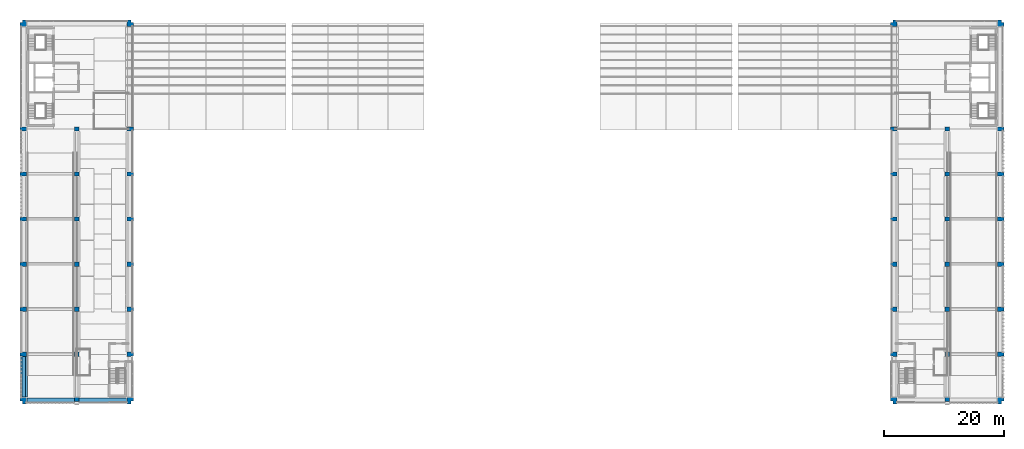
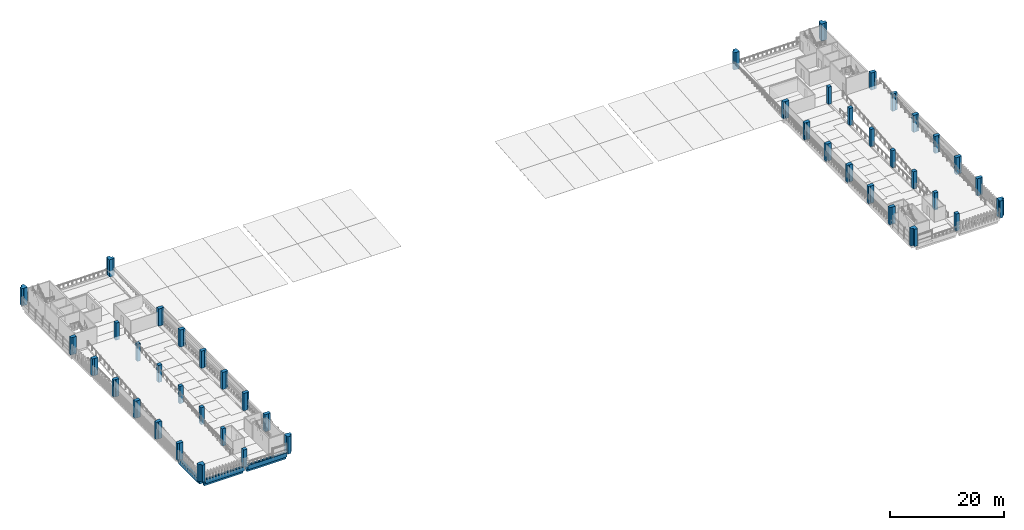
# One storey, part 1 of 24: 46 columns, 3 beams.
"""IFC4 building model written with IfcOpenShell, lengths in metres."""

from ifc_helpers import new_model, si_unit, direction, frame, origin, place, context, subcontext, project, spatial, polyline, outline, extrude, material, material_profile, profile_set, type_object, element, save


model = new_model("IFC4")

# Units and contexts
model_context = context("Model", 3, precision=1e-05, world=origin(), true_north=direction((0.0, 1.0)))
body_context = subcontext(model_context, "Body", "Model", "MODEL_VIEW")
ifc_project = project(units=[si_unit("LENGTHUNIT", "METRE"), si_unit("AREAUNIT", "SQUARE_METRE"), si_unit("VOLUMEUNIT", "CUBIC_METRE"), si_unit("PLANEANGLEUNIT", "RADIAN"), si_unit("MASSUNIT", "GRAM", prefix="KILO")], contexts=[model_context])

# Site, building, storey
site_placement = place(None, origin())
site = spatial("IfcSite", under=ifc_project, at=site_placement, CompositionType="ELEMENT")
building_placement = place(site_placement, origin())
building = spatial("IfcBuilding", under=site, at=building_placement, Name="Cour d'Honneur Mobility Palace", CompositionType="ELEMENT")
storey_placement = place(building_placement, frame((0.0, 0.0, 26.699951171875)))
storey = spatial("IfcBuildingStorey", under=building, at=storey_placement, Name="L07", CompositionType="ELEMENT", Elevation=26.699951171875)

# Columns
ifc_material_1 = material(Name="Concrete C50", Category="concrete")
ifc_material_profile_1 = material_profile(ifc_material_1, outline(polyline([(-0.35009765625, -0.35009765625), (0.35009765625, -0.35009765625), (0.35009765625, -0.300048828125), (0.75, -0.300048828125), (0.75, 0.300048828125), (0.35009765625, 0.300048828125), (0.35009765625, 0.35009765625), (0.300048828125, 0.35009765625), (0.300048828125, 0.75), (-0.300048828125, 0.75), (-0.300048828125, 0.35009765625), (-0.35009765625, 0.35009765625), (-0.35009765625, -0.35009765625)])), Name="PC C700 corner")
ifc_profile_set_1 = profile_set([ifc_material_profile_1], Name="Concrete C50")
column_type_1 = type_object("IfcColumnType", Name="Precast Column 700 corner", PredefinedType="COLUMN", material=ifc_profile_set_1)
for number, where, z_axis, x_axis, name in (
    (1, (0.0, 0.0, 0.0), (0.0, 0.0, 1.0), (-1.0, 0.0, 0.0), "Precast column C7 1/A L07"),
    (2, (17.39990234375, 0.0, 0.0), (0.0, 0.0, 1.0), (0.0, -1.0, 0.0), "Precast column C7 2/A L07"),
    (3, (144.89990234375, 0.0, 0.0), (0.0, 0.0, 1.0), (-1.0, 0.0, 0.0), "Precast column C7 19/A L07"),
    (4, (162.300048828125, 0.0, 0.0), (0.0, 0.0, 1.0), (0.0, -1.0, 0.0), "Precast column C7 20/A L07"),
    (5, (0.0, 62.39990234375, 0.0), (0.0, 0.0, 1.0), (0.0, 1.0, 0.0), "Precast column C7 1/H L07"),
    (6, (17.39990234375, 62.39990234375, 0.0), (0.0, 0.0, 1.0), (1.0, 0.0, 0.0), "Precast column C7 2/H L07"),
    (7, (144.89990234375, 62.39990234375, 0.0), (0.0, 0.0, 1.0), (0.0, 1.0, 0.0), "Precast column C7 19/H L07"),
    (8, (162.300048828125, 62.39990234375, 0.0), (0.0, 0.0, 1.0), (1.0, 0.0, 0.0), "Precast column C7 20/H L07"),
):
    element("IfcColumn", number, at=place(storey_placement, frame(where, z_axis=z_axis, x_axis=x_axis)), inside=storey, type_object=column_type_1, Name=name, PredefinedType="COLUMN", context=body_context, shape_type="SweptSolid", body=[
        extrude(outline(polyline([(-0.35009765625, -0.35009765625), (0.35009765625, -0.35009765625), (0.35009765625, -0.300048828125), (0.75, -0.300048828125), (0.75, 0.300048828125), (0.35009765625, 0.300048828125), (0.35009765625, 0.35009765625), (0.300048828125, 0.35009765625), (0.300048828125, 0.75), (-0.300048828125, 0.75), (-0.300048828125, 0.35009765625), (-0.35009765625, 0.35009765625), (-0.35009765625, -0.35009765625)])), origin(), (0.0, 0.0, 1.0), 3.699951171875),
    ])
ifc_material_2 = material(Name="Concrete C50", Category="concrete")
ifc_material_profile_2 = material_profile(ifc_material_2, outline(polyline([(-0.35009765625, -0.35009765625), (0.35009765625, -0.35009765625), (0.35009765625, -0.300048828125), (0.75, -0.300048828125), (0.75, 0.300048828125), (0.35009765625, 0.300048828125), (0.35009765625, 0.35009765625), (-0.35009765625, 0.35009765625), (-0.35009765625, -0.35009765625)])), Name="PC C700 pilaster")
ifc_profile_set_2 = profile_set([ifc_material_profile_2], Name="Concrete C50")
column_type_2 = type_object("IfcColumnType", Name="Precast Column 700 pilaster", PredefinedType="COLUMN", material=ifc_profile_set_2)
for number, where, z_axis, x_axis, name in (
    (9, (0.0, 7.5, 0.0), (0.0, 0.0, 1.0), (-1.0, 0.0, 0.0), "Precast column C9 1/B L07"),
    (10, (17.39990234375, 7.5, 0.0), (0.0, 0.0, 1.0), (1.0, 0.0, 0.0), "Precast column C9 2/B L07"),
    (11, (144.89990234375, 7.5, 0.0), (0.0, 0.0, 1.0), (-1.0, 0.0, 0.0), "Precast column C9 19/B L07"),
    (12, (162.300048828125, 7.5, 0.0), (0.0, 0.0, 1.0), (1.0, 0.0, 0.0), "Precast column C9 20/B L07"),
    (13, (0.0, 15.0, 0.0), (0.0, 0.0, 1.0), (-1.0, 0.0, 0.0), "Precast column C9 1/C L07"),
    (14, (17.39990234375, 15.0, 0.0), (0.0, 0.0, 1.0), (1.0, 0.0, 0.0), "Precast column C9 2/C L07"),
    (15, (144.89990234375, 15.0, 0.0), (0.0, 0.0, 1.0), (-1.0, 0.0, 0.0), "Precast column C9 19/C L07"),
    (16, (162.300048828125, 15.0, 0.0), (0.0, 0.0, 1.0), (1.0, 0.0, 0.0), "Precast column C9 20/C L07"),
    (17, (0.0, 22.5, 0.0), (0.0, 0.0, 1.0), (-1.0, 0.0, 0.0), "Precast column C9 1/D L07"),
    (18, (17.39990234375, 22.5, 0.0), (0.0, 0.0, 1.0), (1.0, 0.0, 0.0), "Precast column C9 2/D L07"),
    (19, (144.89990234375, 22.5, 0.0), (0.0, 0.0, 1.0), (-1.0, 0.0, 0.0), "Precast column C9 19/D L07"),
    (20, (162.300048828125, 22.5, 0.0), (0.0, 0.0, 1.0), (1.0, 0.0, 0.0), "Precast column C9 20/D L07"),
    (21, (0.0, 30.0, 0.0), (0.0, 0.0, 1.0), (-1.0, 0.0, 0.0), "Precast column C9 1/E L07"),
    (22, (17.39990234375, 30.0, 0.0), (0.0, 0.0, 1.0), (1.0, 0.0, 0.0), "Precast column C9 2/E L07"),
    (23, (144.89990234375, 30.0, 0.0), (0.0, 0.0, 1.0), (-1.0, 0.0, 0.0), "Precast column C9 19/E L07"),
    (24, (162.300048828125, 30.0, 0.0), (0.0, 0.0, 1.0), (1.0, 0.0, 0.0), "Precast column C9 20/E L07"),
    (25, (0.0, 37.5, 0.0), (0.0, 0.0, 1.0), (-1.0, 0.0, 0.0), "Precast column C9 1/F L07"),
    (26, (17.39990234375, 37.5, 0.0), (0.0, 0.0, 1.0), (1.0, 0.0, 0.0), "Precast column C9 2/F L07"),
    (27, (144.89990234375, 37.5, 0.0), (0.0, 0.0, 1.0), (-1.0, 0.0, 0.0), "Precast column C9 19/F L07"),
    (28, (162.300048828125, 37.5, 0.0), (0.0, 0.0, 1.0), (1.0, 0.0, 0.0), "Precast column C9 20/F L07"),
    (29, (0.0, 45.0, 0.0), (0.0, 0.0, 1.0), (-1.0, 0.0, 0.0), "Precast column C9 1/G L07"),
    (30, (17.39990234375, 45.0, 0.0), (0.0, 0.0, 1.0), (1.0, 0.0, 0.0), "Precast column C9 2/G L07"),
    (31, (144.89990234375, 45.0, 0.0), (0.0, 0.0, 1.0), (-1.0, 0.0, 0.0), "Precast column C9 19/G L07"),
    (32, (162.300048828125, 45.0, 0.0), (0.0, 0.0, 1.0), (1.0, 0.0, 0.0), "Precast column C9 20/G L07"),
):
    element("IfcColumn", number, at=place(storey_placement, frame(where, z_axis=z_axis, x_axis=x_axis)), inside=storey, type_object=column_type_2, Name=name, PredefinedType="COLUMN", context=body_context, shape_type="SweptSolid", body=[
        extrude(outline(polyline([(-0.35009765625, -0.35009765625), (0.35009765625, -0.35009765625), (0.35009765625, -0.300048828125), (0.75, -0.300048828125), (0.75, 0.300048828125), (0.35009765625, 0.300048828125), (0.35009765625, 0.35009765625), (-0.35009765625, 0.35009765625), (-0.35009765625, -0.35009765625)])), origin(), (0.0, 0.0, 1.0), 3.699951171875),
    ])
ifc_material_3 = material(Name="Concrete C50", Category="concrete")
ifc_material_profile_3 = material_profile(ifc_material_3, outline(polyline([(-0.35009765625, -0.35009765625), (0.35009765625, -0.35009765625), (0.35009765625, 0.35009765625), (-0.35009765625, 0.35009765625), (-0.35009765625, -0.35009765625)])), Name="PC C700 plain")
ifc_profile_set_3 = profile_set([ifc_material_profile_3], Name="Concrete C50")
column_type_3 = type_object("IfcColumnType", Name="Precast Column 700 plain", PredefinedType="COLUMN", material=ifc_profile_set_3)
for number, where, z_axis, x_axis, name in (
    (33, (8.699951171875, 0.0, 0.0), (0.0, 0.0, 1.0), (1.0, 0.0, 0.0), "Precast column C8 1A/A L07"),
    (34, (153.60009765625, 0.0, 0.0), (0.0, 0.0, 1.0), (1.0, 0.0, 0.0), "Precast column C8 19A/A L07"),
    (35, (8.699951171875, 7.5, 0.0), (0.0, 0.0, 1.0), (1.0, 0.0, 0.0), "Precast column C8 1A/B L07"),
    (36, (153.60009765625, 7.5, 0.0), (0.0, 0.0, 1.0), (1.0, 0.0, 0.0), "Precast column C8 19A/B L07"),
    (37, (8.699951171875, 15.0, 0.0), (0.0, 0.0, 1.0), (1.0, 0.0, 0.0), "Precast column C8 1A/C L07"),
    (38, (153.60009765625, 15.0, 0.0), (0.0, 0.0, 1.0), (1.0, 0.0, 0.0), "Precast column C8 19A/C L07"),
    (39, (8.699951171875, 22.5, 0.0), (0.0, 0.0, 1.0), (1.0, 0.0, 0.0), "Precast column C8 1A/D L07"),
    (40, (153.60009765625, 22.5, 0.0), (0.0, 0.0, 1.0), (1.0, 0.0, 0.0), "Precast column C8 19A/D L07"),
    (41, (8.699951171875, 30.0, 0.0), (0.0, 0.0, 1.0), (1.0, 0.0, 0.0), "Precast column C8 1A/E L07"),
    (42, (153.60009765625, 30.0, 0.0), (0.0, 0.0, 1.0), (1.0, 0.0, 0.0), "Precast column C8 19A/E L07"),
    (43, (8.699951171875, 37.5, 0.0), (0.0, 0.0, 1.0), (1.0, 0.0, 0.0), "Precast column C8 1A/F L07"),
    (44, (153.60009765625, 37.5, 0.0), (0.0, 0.0, 1.0), (1.0, 0.0, 0.0), "Precast column C8 19A/F L07"),
    (45, (8.699951171875, 45.0, 0.0), (0.0, 0.0, 1.0), (1.0, 0.0, 0.0), "Precast column C8 1A/G L07"),
    (46, (153.60009765625, 45.0, 0.0), (0.0, 0.0, 1.0), (1.0, 0.0, 0.0), "Precast column C8 19A/G L07"),
):
    element("IfcColumn", number, at=place(storey_placement, frame(where, z_axis=z_axis, x_axis=x_axis)), inside=storey, type_object=column_type_3, Name=name, PredefinedType="COLUMN", context=body_context, shape_type="SweptSolid", body=[
        extrude(outline(polyline([(-0.35009765625, -0.35009765625), (0.35009765625, -0.35009765625), (0.35009765625, 0.35009765625), (-0.35009765625, 0.35009765625), (-0.35009765625, -0.35009765625)])), origin(), (0.0, 0.0, 1.0), 3.699951171875),
    ])

# Beams
ifc_material_4 = material(Name="Concrete C45", Category="concrete")
ifc_material_profile_4 = material_profile(ifc_material_4, outline(polyline([(0.22509765625, -1.300048828125), (0.22509765625, 0.0), (-0.22509765625, 0.0), (-0.449951171875, 0.0), (-0.449951171875, 0.300048828125), (-0.64990234375, 0.300048828125), (-0.64990234375, -0.60009765625), (-0.22509765625, -0.60009765625), (-0.22509765625, -1.300048828125), (0.22509765625, -1.300048828125)])), Name="Edge Spandrel Beam 450x1300 no ledge facade right")
ifc_profile_set_4 = profile_set([ifc_material_profile_4], Name="Concrete C45")
beam_type_1 = type_object("IfcBeamType", Name="Edge Spandrel Beam 450x1300 no ledge facade right", PredefinedType="SPANDREL", material=ifc_profile_set_4)
beam_1_placement = place(storey_placement, frame((0.39990234375, 0.0, 0.0), z_axis=(1.0, 0.0, 0.0), x_axis=(0.0, 1.0, 0.0)))
element("IfcBeam", 47, at=beam_1_placement, inside=storey, type_object=beam_type_1, Name="Precast beam B1 1-1A L07", PredefinedType="SPANDREL", context=body_context, shape_type="SweptSolid", body=[
    extrude(outline(polyline([(0.22509765625, -1.300048828125), (0.22509765625, 0.0), (-0.22509765625, 0.0), (-0.449951171875, 0.0), (-0.449951171875, 0.300048828125), (-0.64990234375, 0.300048828125), (-0.64990234375, -0.60009765625), (-0.22509765625, -0.60009765625), (-0.22509765625, -1.300048828125), (0.22509765625, -1.300048828125)])), origin(), (0.0, 0.0, 1.0), 7.900146484375),
])
beam_2_placement = place(storey_placement, frame((9.10009765625, 0.0, 0.0), z_axis=(1.0, 0.0, 0.0), x_axis=(0.0, 1.0, 0.0)))
element("IfcBeam", 48, at=beam_2_placement, inside=storey, type_object=beam_type_1, Name="Precast beam B1 1A-2 L07", PredefinedType="SPANDREL", context=body_context, shape_type="SweptSolid", body=[
    extrude(outline(polyline([(0.22509765625, -1.300048828125), (0.22509765625, 0.0), (-0.22509765625, 0.0), (-0.449951171875, 0.0), (-0.449951171875, 0.300048828125), (-0.64990234375, 0.300048828125), (-0.64990234375, -0.60009765625), (-0.22509765625, -0.60009765625), (-0.22509765625, -1.300048828125), (0.22509765625, -1.300048828125)])), origin(), (0.0, 0.0, 1.0), 7.89990234375),
])
ifc_material_5 = material(Name="Concrete C45", Category="concrete")
ifc_material_profile_5 = material_profile(ifc_material_5, outline(polyline([(0.199951171875, -1.10009765625), (0.199951171875, -0.60009765625), (0.64990234375, -0.60009765625), (0.64990234375, 0.300048828125), (0.449951171875, 0.300048828125), (0.449951171875, 0.0), (0.199951171875, 0.0), (-0.199951171875, 0.0), (-0.199951171875, -0.800048828125), (-0.5, -0.800048828125), (-0.5, -1.10009765625), (0.199951171875, -1.10009765625)])), Name="Ledger Beam 400x1100 ledge right 300 facade left")
ifc_profile_set_5 = profile_set([ifc_material_profile_5], Name="Concrete C45")
beam_type_2 = type_object("IfcBeamType", Name="Ledger Beam 400x1100 ledge right 300 facade left", PredefinedType="BEAM", material=ifc_profile_set_5)
beam_3_placement = place(storey_placement, frame((0.0, 0.39990234375, 0.0), z_axis=(0.0, 1.0, 0.0), x_axis=(-1.0, 0.0, 0.0)))
element("IfcBeam", 49, at=beam_3_placement, inside=storey, type_object=beam_type_2, Name="Precast beam B6 A-B L07", PredefinedType="BEAM", context=body_context, shape_type="SweptSolid", body=[
    extrude(outline(polyline([(0.199951171875, -1.10009765625), (0.199951171875, -0.60009765625), (0.64990234375, -0.60009765625), (0.64990234375, 0.300048828125), (0.449951171875, 0.300048828125), (0.449951171875, 0.0), (0.199951171875, 0.0), (-0.199951171875, 0.0), (-0.199951171875, -0.800048828125), (-0.5, -0.800048828125), (-0.5, -1.10009765625), (0.199951171875, -1.10009765625)])), origin(), (0.0, 0.0, 1.0), 6.7001953125),
])

save(model, "model.ifc")
